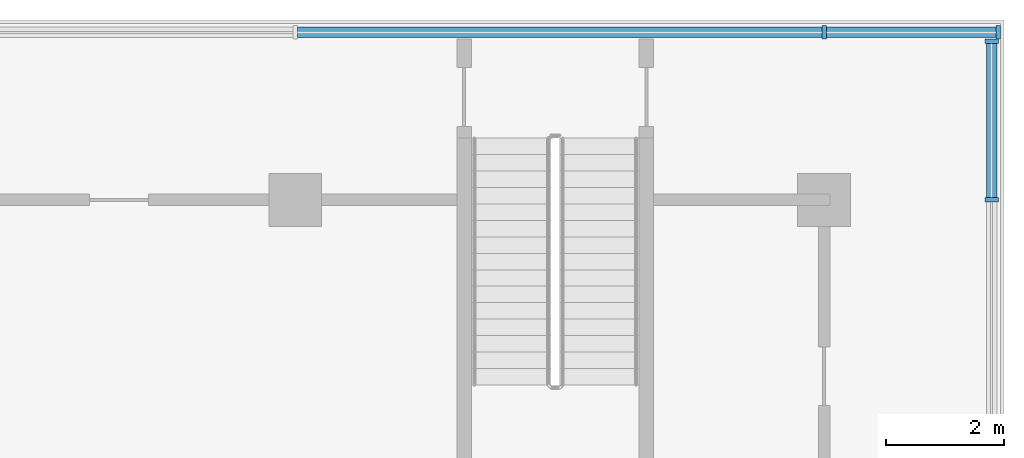
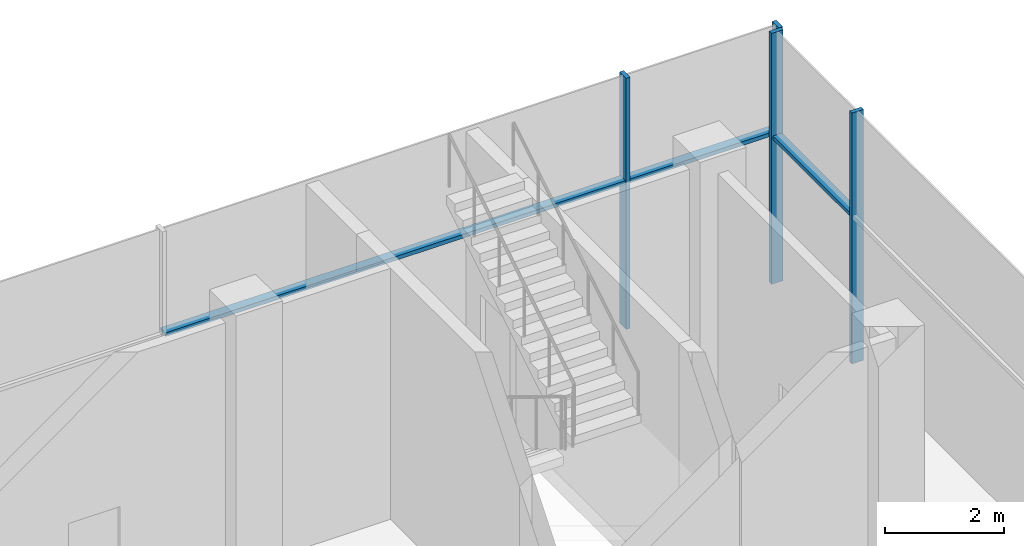
# One storey, part 9 of 22: 7 members, 2 elements without a shape of their own.
"""IFC4 building model written with IfcOpenShell, lengths in metres."""

import ifcopenshell
import ifcopenshell.guid

model = None  # the IFC model being written
_history = None  # IfcOwnerHistory: only IFC2X3 demands one
_inside = {}  # id of a spatial element -> (the spatial element, [elements in it])
_under = {}  # id of a project, library or spatial element -> (it, [spatial elements below it])
_declared = {}  # id of a project -> (the project, [libraries it declares])
_typed = {}  # id of a type object -> (the type object, [elements of that type])
_made_of = {}  # id of a material, layer set ... -> (it, [elements and type objects made of it])


def new_model(schema):
    """Start an empty IFC model of exactly this schema.

    Asked for "IFC4X3", IfcOpenShell would pick the latest addendum, in which some entities
    have other attributes; the version numbers below select the first issue.
    IFC2X3 requires an IfcOwnerHistory on every rooted entity: one is made here for all.
    """
    global model, _history
    if schema == "IFC4X3":
        model = ifcopenshell.file(schema_version=(4, 3, 0, 0))
    else:
        model = ifcopenshell.file(schema=schema)
    _inside.clear()
    _under.clear()
    _declared.clear()
    _typed.clear()
    _made_of.clear()
    _history = None
    if model.schema == "IFC2X3":
        org = make("IfcOrganization", Name="unknown")
        user = make(
            "IfcPersonAndOrganization",
            ThePerson=make("IfcPerson", FamilyName="unknown"),
            TheOrganization=org,
        )
        app = make(
            "IfcApplication",
            ApplicationDeveloper=org,
            Version="unknown",
            ApplicationFullName="unknown",
            ApplicationIdentifier="unknown",
        )
        _history = make(
            "IfcOwnerHistory",
            OwningUser=user,
            OwningApplication=app,
            ChangeAction="ADDED",
            CreationDate=0,
        )
    return model


def make(cls, **values):
    """One entity of the class cls with the attributes given. An attribute that is None is left unset."""
    return model.create_entity(
        cls, **{name: value for name, value in values.items() if value is not None}
    )


def rooted(cls, **values):
    """An entity with a GlobalId (a new one), such as an element, a storey or a relation."""
    return make(cls, GlobalId=ifcopenshell.guid.new(), OwnerHistory=_history, **values)


def si_unit(unit_type, name, prefix=None):
    """IfcSIUnit, for example si_unit("LENGTHUNIT", "METRE", prefix="MILLI")."""
    return make("IfcSIUnit", UnitType=unit_type, Prefix=prefix, Name=name)


def assignment(units):
    """IfcUnitAssignment: the units of a project."""
    return None if units is None else make("IfcUnitAssignment", Units=units)


def point(xyz):
    """IfcCartesianPoint."""
    return None if xyz is None else make("IfcCartesianPoint", Coordinates=xyz)


def direction(xyz):
    """IfcDirection."""
    return None if xyz is None else make("IfcDirection", DirectionRatios=xyz)


def frame(location, z_axis=None, x_axis=None):
    """IfcAxis2Placement3D, a coordinate frame: its origin and axes. An axis left out is left unset."""
    return make(
        "IfcAxis2Placement3D",
        Location=point(location),
        Axis=direction(z_axis),
        RefDirection=direction(x_axis),
    )


def frame_2d(location, x_axis=None):
    """IfcAxis2Placement2D, a coordinate frame in the plane: its origin and x axis."""
    return make(
        "IfcAxis2Placement2D", Location=point(location), RefDirection=direction(x_axis)
    )


def origin():
    """The frame at (0, 0, 0) with its axes left unset."""
    return frame((0.0, 0.0, 0.0))


def origin_2d():
    """The frame at (0, 0) in the plane with its x axis left unset."""
    return frame_2d((0.0, 0.0))


def place(relative_to, where):
    """IfcLocalPlacement: puts the frame where relative to a parent placement (None: the world)."""
    return make(
        "IfcLocalPlacement", PlacementRelTo=relative_to, RelativePlacement=where
    )


def context(
    kind, dimensions, precision=None, world=None, true_north=None, identifier=None
):
    """IfcGeometricRepresentationContext, for example the 3D "Model" context."""
    return make(
        "IfcGeometricRepresentationContext",
        ContextIdentifier=identifier,
        ContextType=kind,
        CoordinateSpaceDimension=dimensions,
        Precision=precision,
        WorldCoordinateSystem=world,
        TrueNorth=true_north,
    )


def subcontext(parent, identifier, kind, view, scale=None):
    """IfcGeometricRepresentationSubContext, for example "Body" below "Model"."""
    return make(
        "IfcGeometricRepresentationSubContext",
        ContextIdentifier=identifier,
        ContextType=kind,
        ParentContext=parent,
        TargetScale=scale,
        TargetView=view,
    )


def project(units=None, contexts=None):
    """IfcProject with its units and contexts."""
    return rooted(
        "IfcProject",
        Name="project",
        RepresentationContexts=contexts,
        UnitsInContext=assignment(units),
    )


def spatial(cls, under=None, at=None, **own):
    """A site, building, storey or space (cls), placed at a placement, below another one or the project."""
    s = rooted(cls, ObjectPlacement=at, **own)
    if under is not None:
        _under.setdefault(under.id(), (under, []))[1].append(s)
    return s


def profile(cls, at=None, kind="AREA", **sizes):
    """A parametric profile (cls). Its sizes go by their IFC names, for example OverallWidth=200.0."""
    return make(cls, ProfileType=kind, Position=at, **sizes)


def rectangle(**sizes):
    """IfcRectangleProfileDef."""
    return profile("IfcRectangleProfileDef", **sizes)


def extrude(swept, where, along, depth):
    """IfcExtrudedAreaSolid: the profile swept, set in the frame where, extruded along a direction by depth."""
    return make(
        "IfcExtrudedAreaSolid",
        SweptArea=swept,
        Position=where,
        ExtrudedDirection=direction(along),
        Depth=depth,
    )


def shape(context_of_items, identifier, shape_type, items):
    """IfcShapeRepresentation: the items that make up one representation, for example the "Body"."""
    return make(
        "IfcShapeRepresentation",
        ContextOfItems=context_of_items,
        RepresentationIdentifier=identifier,
        RepresentationType=shape_type,
        Items=items,
    )


def material(Name=None, Category=None):
    """IfcMaterial."""
    return make("IfcMaterial", Name=Name, Category=Category)


def material_profile(
    of_material, cross_section, Name=None, Category=None, Priority=None
):
    """IfcMaterialProfile: a cross section and its material."""
    return make(
        "IfcMaterialProfile",
        Name=Name,
        Material=of_material,
        Profile=cross_section,
        Priority=Priority,
        Category=Category,
    )


def profile_set(profiles, Name=None, composite=None):
    """IfcMaterialProfileSet."""
    return make(
        "IfcMaterialProfileSet",
        Name=Name,
        MaterialProfiles=profiles,
        CompositeProfile=composite,
    )


def made_of(thing, what):
    """Note that an element or type object is made of a material, layer set ...; save() writes the relation."""
    if what is not None:
        _made_of.setdefault(what.id(), (what, []))[1].append(thing)
    return thing


def type_object(cls, material=None, **own):
    """A type object (cls), such as IfcWallType, which elements share."""
    return made_of(rooted(cls, **own), material)


def element(
    cls,
    number,
    at=None,
    inside=None,
    cuts=None,
    type_object=None,
    material=None,
    context=None,
    identifier="Body",
    shape_type=None,
    held_by="IfcProductDefinitionShape",
    body=None,
    shapes=None,
    **own,
):
    """One element of the class cls, such as IfcWall. Its Tag is "e" and its number.

    at: its placement. inside: the storey or other place that contains it. cuts: it is an
    opening in that element (IfcRelVoidsElement). A single representation is given by context,
    identifier, shape_type and body (its items); several are given by shapes. held_by: the class
    of the entity that holds the representations. save() writes the other relations.
    """
    e = rooted(cls, Tag="e%d" % number, ObjectPlacement=at, **own)
    if body is not None:
        shapes = [shape(context, identifier, shape_type, body)]
    if shapes is not None:
        e.Representation = make(held_by, Representations=shapes)
    if inside is not None:
        _inside.setdefault(inside.id(), (inside, []))[1].append(e)
    if cuts is not None:
        rooted(
            "IfcRelVoidsElement", RelatingBuildingElement=cuts, RelatedOpeningElement=e
        )
    if type_object is not None:
        _typed.setdefault(type_object.id(), (type_object, []))[1].append(e)
    return made_of(e, material)


def aggregate(whole, parts):
    """IfcRelAggregates: a whole, such as a stair, and the parts it consists of."""
    return rooted("IfcRelAggregates", RelatingObject=whole, RelatedObjects=parts)


def save(model, path):
    """Write the relations noted so far, then the file.

    IfcRelAggregates (storeys below a building ...), IfcRelContainedInSpatialStructure (elements
    in a storey), IfcRelDefinesByType, IfcRelAssociatesMaterial and IfcRelDeclares: one each for
    every whole, place, type object, material and project.
    """
    for whole, parts in _under.values():
        aggregate(whole, parts)
    for where, things in _inside.values():
        rooted(
            "IfcRelContainedInSpatialStructure",
            RelatedElements=things,
            RelatingStructure=where,
        )
    for kind, things in _typed.values():
        rooted("IfcRelDefinesByType", RelatedObjects=things, RelatingType=kind)
    for what, things in _made_of.values():
        rooted("IfcRelAssociatesMaterial", RelatedObjects=things, RelatingMaterial=what)
    for by, libraries in _declared.values():
        rooted("IfcRelDeclares", RelatingContext=by, RelatedDefinitions=libraries)
    model.write(path)


model = new_model("IFC4")

# Units and contexts
model_context = context("Model", 3, precision=1e-05, world=origin(), true_north=direction((0.0, 1.0)))
body_context = subcontext(model_context, "Body", "Model", "MODEL_VIEW")
ifc_project = project(units=[si_unit("LENGTHUNIT", "METRE"), si_unit("AREAUNIT", "SQUARE_METRE"), si_unit("VOLUMEUNIT", "CUBIC_METRE"), si_unit("PLANEANGLEUNIT", "RADIAN"), si_unit("MASSUNIT", "GRAM", prefix="KILO")], contexts=[model_context])

# Site, building, storey
site_placement = place(None, origin())
site = spatial("IfcSite", under=ifc_project, at=site_placement, CompositionType="ELEMENT")
building_placement = place(site_placement, origin())
building = spatial("IfcBuilding", under=site, at=building_placement, Name="Finial Court Residences", CompositionType="ELEMENT")
storey_placement = place(building_placement, frame((0.0, 0.0, 8.0)))
storey = spatial("IfcBuildingStorey", under=building, at=storey_placement, Name="L01", CompositionType="ELEMENT", Elevation=8.0)

# Curtain wall, members
ifc_material = material(Name="Bronze anodised aluminium", Category="aluminium")
curtain_wall_type = type_object("IfcCurtainWallType", Name="Podium curtain wall", PredefinedType="NOTDEFINED", material=ifc_material)
curtain_wall_1_placement = place(storey_placement, origin())
curtain_wall_1 = element("IfcCurtainWall", 1, at=curtain_wall_1_placement, inside=storey, type_object=curtain_wall_type, Name="E-L01-CW-N1", PredefinedType="NOTDEFINED")
ifc_material_profile_1 = material_profile(ifc_material, rectangle(XDim=0.22509765625, YDim=0.080078125, at=origin_2d()), Name="CW5 mullion 80 x 225")
ifc_profile_set_1 = profile_set([ifc_material_profile_1], Name="Bronze anodised aluminium")
member_type_1 = type_object("IfcMemberType", Name="CW5 mullion 80 x 225", PredefinedType="MULLION", material=ifc_profile_set_1)
member_1_placement = place(storey_placement, frame((58.5, 34.35009765625, 0.0), z_axis=(0.0, 0.0, 1.0), x_axis=(0.0, 1.0, 0.0)))
member_1 = element("IfcMember", 2, at=member_1_placement, type_object=member_type_1, Name="CW5 mullion 14", PredefinedType="MULLION", context=body_context, shape_type="SweptSolid", body=[
    extrude(rectangle(XDim=0.22509765625, YDim=0.080078125, at=origin_2d()), origin(), (0.0, 0.0, 1.0), 5.14990234375),
])
member_2_placement = place(storey_placement, frame((61.4599609375, 34.35009765625, 0.0), z_axis=(0.0, 0.0, 1.0), x_axis=(0.0, 1.0, 0.0)))
member_2 = element("IfcMember", 3, at=member_2_placement, type_object=member_type_1, Name="CW5 mullion 15", PredefinedType="MULLION", context=body_context, shape_type="SweptSolid", body=[
    extrude(rectangle(XDim=0.22509765625, YDim=0.080078125, at=origin_2d()), origin(), (0.0, 0.0, 1.0), 5.14990234375),
])

curtain_wall_2_placement = place(storey_placement, origin())
curtain_wall_2 = element("IfcCurtainWall", 4, at=curtain_wall_2_placement, inside=storey, type_object=curtain_wall_type, Name="E-L01-CW-E2", PredefinedType="NOTDEFINED")
member_3_placement = place(storey_placement, frame((61.35009765625, 31.5, 0.0), z_axis=(0.0, 0.0, 1.0), x_axis=(-1.0, 0.0, 0.0)))
member_3 = element("IfcMember", 5, at=member_3_placement, type_object=member_type_1, Name="CW5 mullion 11", PredefinedType="MULLION", context=body_context, shape_type="SweptSolid", body=[
    extrude(rectangle(XDim=0.22509765625, YDim=0.080078125, at=origin_2d()), origin(), (0.0, 0.0, 1.0), 5.14990234375),
])
member_4_placement = place(storey_placement, frame((61.35009765625, 34.197509765625, 0.0), z_axis=(0.0, 0.0, 1.0), x_axis=(-1.0, 0.0, 0.0)))
member_4 = element("IfcMember", 6, at=member_4_placement, type_object=member_type_1, Name="CW5 mullion 12", PredefinedType="MULLION", context=body_context, shape_type="SweptSolid", body=[
    extrude(rectangle(XDim=0.22509765625, YDim=0.080078125, at=origin_2d()), origin(), (0.0, 0.0, 1.0), 5.14990234375),
])

# Member
ifc_material_profile_2 = material_profile(ifc_material, rectangle(XDim=0.175048828125, YDim=0.080078125, at=origin_2d()), Name="CW5 transom 80 x 175")
ifc_profile_set_2 = profile_set([ifc_material_profile_2], Name="Bronze anodised aluminium")
member_type_2 = type_object("IfcMemberType", Name="CW5 transom 80 x 175", PredefinedType="USERDEFINED", material=ifc_profile_set_2)
member_5_placement = place(storey_placement, frame((49.5400390625, 34.35009765625, 3.0), z_axis=(1.0, 0.0, 0.0), x_axis=(0.0, 1.0, 0.0)))
member_5 = element("IfcMember", 7, at=member_5_placement, type_object=member_type_2, Name="CW5 transom 13.1", ObjectType="TRANSOM", PredefinedType="USERDEFINED", context=body_context, shape_type="SweptSolid", body=[
    extrude(rectangle(XDim=0.175048828125, YDim=0.080078125, at=origin_2d()), origin(), (0.0, 0.0, 1.0), 8.919921875),
])

member_6_placement = place(storey_placement, frame((58.5400390625, 34.35009765625, 3.0), z_axis=(1.0, 0.0, 0.0), x_axis=(0.0, 1.0, 0.0)))
member_6 = element("IfcMember", 8, at=member_6_placement, type_object=member_type_2, Name="CW5 transom 14.1", ObjectType="TRANSOM", PredefinedType="USERDEFINED", context=body_context, shape_type="SweptSolid", body=[
    extrude(rectangle(XDim=0.175048828125, YDim=0.080078125, at=origin_2d()), origin(), (0.0, 0.0, 1.0), 2.8798828125),
])

aggregate(curtain_wall_1, [member_1, member_2, member_5, member_6])

member_7_placement = place(storey_placement, frame((61.35009765625, 31.5400390625, 3.0), z_axis=(0.0, 1.0, 0.0), x_axis=(-1.0, 0.0, 0.0)))
member_7 = element("IfcMember", 9, at=member_7_placement, type_object=member_type_2, Name="CW5 transom 11.1", ObjectType="TRANSOM", PredefinedType="USERDEFINED", context=body_context, shape_type="SweptSolid", body=[
    extrude(rectangle(XDim=0.175048828125, YDim=0.080078125, at=origin_2d()), origin(), (0.0, 0.0, 1.0), 2.617431640625),
])

aggregate(curtain_wall_2, [member_3, member_4, member_7])

save(model, "model.ifc")
